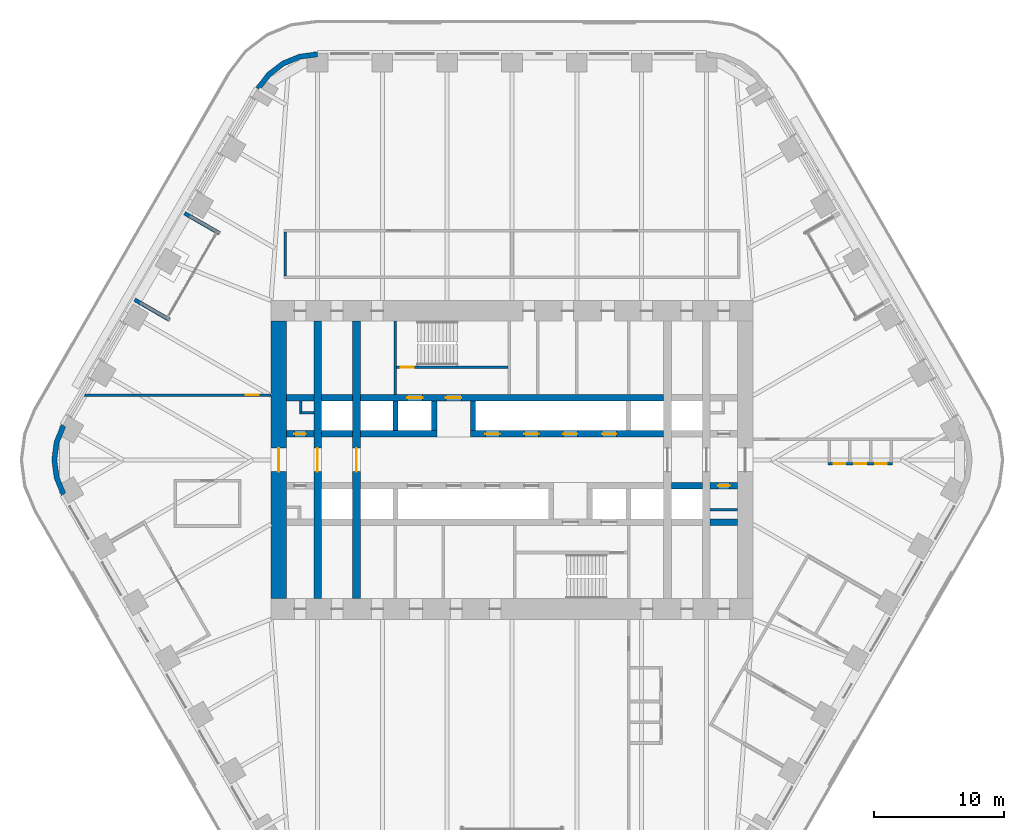
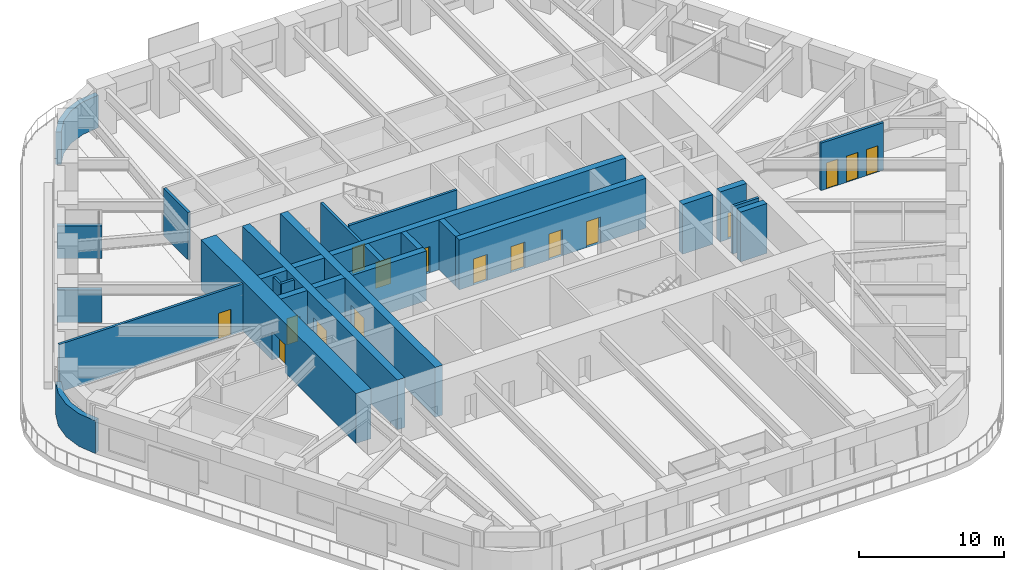
# One storey, part 19 of 24: 28 walls, 16 doors, 16 openings.
"""IFC4 building model written with IfcOpenShell, lengths in metres."""

from ifc_helpers import new_model, si_unit, direction, frame, frame_2d, origin, place, context, subcontext, project, spatial, polyline, rectangle, outline, extrude, material, layer, layer_set, type_object, element, fill, save


model = new_model("IFC4")

# Units and contexts
model_context = context("Model", 3, precision=1e-05, world=origin(), true_north=direction((0.0, 1.0)))
body_context = subcontext(model_context, "Body", "Model", "MODEL_VIEW")
ifc_project = project(units=[si_unit("LENGTHUNIT", "METRE"), si_unit("AREAUNIT", "SQUARE_METRE"), si_unit("VOLUMEUNIT", "CUBIC_METRE"), si_unit("PLANEANGLEUNIT", "RADIAN"), si_unit("MASSUNIT", "GRAM", prefix="KILO")], contexts=[model_context])

# Site, building, storey
site_placement = place(None, origin())
site = spatial("IfcSite", under=ifc_project, at=site_placement, CompositionType="ELEMENT")
building_placement = place(site_placement, origin())
building = spatial("IfcBuilding", under=site, at=building_placement, Name="Tarfa Lantern Tower", CompositionType="ELEMENT")
storey_placement = place(building_placement, frame((0.0, 0.0, 169.89990234375)))
storey = spatial("IfcBuildingStorey", under=building, at=storey_placement, Name="L38", CompositionType="ELEMENT", Elevation=169.89990234375)

# Walls
ifc_material_1 = material(Name="Limestone cladding on blockwork", Category="masonry")
ifc_layer_1 = layer(ifc_material_1, 0.300048828125)
ifc_layer_set_1 = layer_set([ifc_layer_1], Name="EW1 STONE-CLAD WALL 300")
wall_type_1 = type_object("IfcWallType", Name="EW1 STONE-CLAD WALL 300", PredefinedType="SOLIDWALL", material=ifc_layer_set_1)
wall_1_placement = place(storey_placement, frame((-25.266357421875, 19.037353515625, 0.0), z_axis=(0.0, 0.0, 1.0), x_axis=(0.86600983753, -0.500026960575, 0.0)))
element("IfcWall", 1, at=wall_1_placement, inside=storey, type_object=wall_type_1, Name="Loggia return NW 1", PredefinedType="SOLIDWALL", context=body_context, shape_type="SweptSolid", body=[
    extrude(rectangle(XDim=3.099853515625, YDim=0.300048828125, at=frame_2d((1.5498046875, 0.0))), origin(), (0.0, 0.0, 1.0), 2.75),
])
wall_2_placement = place(storey_placement, frame((-29.1201171875, 12.362548828125, 0.0), z_axis=(0.0, 0.0, 1.0), x_axis=(0.86602952684, -0.49999285859, 0.0)))
element("IfcWall", 2, at=wall_2_placement, inside=storey, type_object=wall_type_1, Name="Loggia return NW 2", PredefinedType="SOLIDWALL", context=body_context, shape_type="SweptSolid", body=[
    extrude(rectangle(XDim=3.10009765625, YDim=0.300048828125, at=frame_2d((1.550048828125, 0.0))), origin(), (0.0, 0.0, 1.0), 2.75),
])
ifc_layer_2 = layer(ifc_material_1, 0.39990234375)
ifc_layer_set_2 = layer_set([ifc_layer_2], Name="EW2 CURVED STONE CORNER 400")
wall_type_2 = type_object("IfcWallType", Name="EW2 CURVED STONE CORNER 400", PredefinedType="SOLIDWALL", material=ifc_layer_set_2)
wall_3_placement = place(storey_placement, origin())
element("IfcWall", 3, at=wall_3_placement, inside=storey, type_object=wall_type_2, Name="Stone corner N-NW", PredefinedType="SOLIDWALL", context=body_context, shape_type="SweptSolid", body=[
    extrude(outline(polyline([(-15.010986328125, 31.5), (-16.4345703125, 31.3125), (-17.760986328125, 30.76318359375), (-18.900146484375, 29.88916015625), (-19.774169921875, 28.75), (-19.427734375, 28.550048828125), (-18.617431640625, 29.606201171875), (-17.56103515625, 30.416748046875), (-16.3310546875, 30.92626953125), (-15.010986328125, 31.10009765625), (-15.010986328125, 31.5)])), origin(), (0.0, 0.0, 1.0), 2.75),
])
wall_4_placement = place(storey_placement, origin())
element("IfcWall", 4, at=wall_4_placement, inside=storey, type_object=wall_type_2, Name="Stone corner NW-SW", PredefinedType="SOLIDWALL", context=body_context, shape_type="SweptSolid", body=[
    extrude(outline(polyline([(-34.785400390625, 2.75), (-35.334716796875, 1.423583984375), (-35.522216796875, 0.0), (-35.334716796875, -1.423583984375), (-34.785400390625, -2.75), (-34.43896484375, -2.550048828125), (-34.948486328125, -1.320068359375), (-35.122314453125, 0.0), (-34.948486328125, 1.320068359375), (-34.43896484375, 2.550048828125), (-34.785400390625, 2.75)])), origin(), (0.0, 0.0, 1.0), 2.75),
])
ifc_material_2 = material(Name="Concrete blockwork", Category="masonry")
ifc_layer_3 = layer(ifc_material_2, 0.199951171875)
ifc_layer_set_3 = layer_set([ifc_layer_3], Name="IW1 BLOCKWORK PARTITION 200 EI 120")
wall_type_3 = type_object("IfcWallType", Name="IW1 BLOCKWORK PARTITION 200 EI 120", PredefinedType="PARTITIONING", material=ifc_layer_set_3)
wall_5_placement = place(storey_placement, frame((-9.0, 5.050048828125, 0.0), z_axis=(0.0, 0.0, 1.0), x_axis=(0.0, 1.0, 0.0)))
element("IfcWall", 5, at=wall_5_placement, inside=storey, type_object=wall_type_3, Name="Core partition", PredefinedType="PARTITIONING", context=body_context, shape_type="SweptSolid", body=[
    extrude(rectangle(XDim=5.64990234375, YDim=0.199951171875, at=frame_2d((2.824951171875, 0.0))), origin(), (0.0, 0.0, 1.0), 4.0),
])
for number, where, z_axis, x_axis, name in (
    (6, (-16.300048828125, 3.64990234375, 0.0), (0.0, 0.0, 1.0), (1.0, 0.0, 0.0), "Core partition"),
    (7, (-16.300048828125, 3.550048828125, 0.0), (0.0, 0.0, 1.0), (0.0, 1.0, 0.0), "Core partition"),
):
    element("IfcWall", number, at=place(storey_placement, frame(where, z_axis=z_axis, x_axis=x_axis)), inside=storey, type_object=wall_type_3, Name=name, PredefinedType="PARTITIONING", context=body_context, shape_type="SweptSolid", body=[
        extrude(rectangle(XDim=1.0, YDim=0.199951171875, at=frame_2d((0.5, 0.0))), origin(), (0.0, 0.0, 1.0), 4.0),
    ])
wall_6_placement = place(storey_placement, frame((17.39990234375, -3.85009765625, 0.0), z_axis=(0.0, 0.0, 1.0), x_axis=(-1.0, 0.0, 0.0)))
element("IfcWall", 8, at=wall_6_placement, inside=storey, type_object=wall_type_3, Name="Core partition", PredefinedType="PARTITIONING", context=body_context, shape_type="SweptSolid", body=[
    extrude(rectangle(XDim=2.099853515625, YDim=0.199951171875, at=frame_2d((1.0498046875, 0.0))), origin(), (0.0, 0.0, 1.0), 4.0),
])
ifc_material_3 = material(Name="Gypsum board on steel studs", Category="steel")
ifc_layer_4 = layer(ifc_material_3, 0.2099609375)
ifc_layer_set_4 = layer_set([ifc_layer_4], Name="IW2 ACOUSTIC PARTITION 200")
wall_type_4 = type_object("IfcWallType", Name="IW2 ACOUSTIC PARTITION 200", PredefinedType="PARTITIONING", material=ifc_layer_set_4)
wall_7_placement = place(storey_placement, frame((-17.5, 14.199951171875, 0.0), z_axis=(0.0, 0.0, 1.0), x_axis=(0.0, 1.0, 0.0)))
element("IfcWall", 9, at=wall_7_placement, inside=storey, type_object=wall_type_4, Name="Partition", PredefinedType="PARTITIONING", context=body_context, shape_type="SweptSolid", body=[
    extrude(rectangle(XDim=3.400146484375, YDim=0.199951171875, at=frame_2d((1.7001953125, 0.0))), origin(), (0.0, 0.0, 1.0), 4.0),
])

# Wall, opening, door
wall_8_placement = place(storey_placement, frame((-18.60009765625, 5.0, 0.0), z_axis=(0.0, 0.0, 1.0), x_axis=(-1.0, 0.0, 0.0)))
wall_8 = element("IfcWall", 10, at=wall_8_placement, inside=storey, type_object=wall_type_4, Name="Partition", PredefinedType="PARTITIONING", context=body_context, shape_type="SweptSolid", body=[
    extrude(rectangle(XDim=14.632080078125, YDim=0.199951171875, at=frame_2d((7.31591796875, 0.0))), origin(), (0.0, 0.0, 1.0), 4.0),
])
opening_1_placement = place(wall_8_placement, frame((0.963134765625, 0.0, 0.0)))
opening_1 = element("IfcOpeningElement", 11, at=opening_1_placement, cuts=wall_8, Name="Opening D49", PredefinedType="OPENING", context=body_context, shape_type="SweptSolid", body=[
    extrude(rectangle(XDim=1.0, YDim=2.199951171875, at=frame_2d((0.5, 1.10009765625))), frame((0.0, 0.10986328125, 0.0), z_axis=(0.0, -1.0, 0.0), x_axis=(1.0, 0.0, 0.0)), (0.0, 0.0, 1.0), 0.219970703125),
])
ifc_material_4 = material(Name="Timber door", Category="wood")
door_type_1 = type_object("IfcDoorType", Name="DR1 ROOM DOOR 1000x2200", OperationType="SINGLE_SWING_LEFT", PredefinedType="DOOR", material=ifc_material_4)
door_1_placement = place(opening_1_placement, origin())
door_1 = element("IfcDoor", 12, at=door_1_placement, inside=storey, type_object=door_type_1, Name="Zone door", OperationType="SINGLE_SWING_RIGHT", OverallHeight=2.199951171875, OverallWidth=1.0, PredefinedType="DOOR", context=body_context, shape_type="SweptSolid", body=[
    extrude(rectangle(XDim=1.0, YDim=2.199951171875, at=frame_2d((0.5, 1.10009765625))), frame((0.0, 0.02490234375, 0.0), z_axis=(0.0, -1.0, 0.0), x_axis=(1.0, 0.0, 0.0)), (0.0, 0.0, 1.0), 0.050048828125),
])
fill(opening_1, door_1)

# Wall, openings, doors
wall_9_placement = place(storey_placement, frame((24.3828125, -0.300048828125, 0.0), z_axis=(0.0, 0.0, 1.0), x_axis=(1.0, 0.0, 0.0)))
wall_9 = element("IfcWall", 13, at=wall_9_placement, inside=storey, type_object=wall_type_4, Name="Partition", PredefinedType="PARTITIONING", context=body_context, shape_type="SweptSolid", body=[
    extrude(rectangle(XDim=5.0, YDim=0.199951171875, at=frame_2d((2.5, 0.0))), origin(), (0.0, 0.0, 1.0), 4.0),
])
opening_2_placement = place(wall_9_placement, frame((0.449951171875, 0.0, 0.0)))
opening_2 = element("IfcOpeningElement", 14, at=opening_2_placement, cuts=wall_9, Name="Opening D44", PredefinedType="OPENING", context=body_context, shape_type="SweptSolid", body=[
    extrude(rectangle(XDim=0.89990234375, YDim=2.199951171875, at=frame_2d((0.449951171875, 1.10009765625))), frame((0.0, 0.10986328125, 0.0), z_axis=(0.0, -1.0, 0.0), x_axis=(1.0, 0.0, 0.0)), (0.0, 0.0, 1.0), 0.219970703125),
])
opening_3_placement = place(wall_9_placement, frame((2.050048828125, 0.0, 0.0)))
opening_3 = element("IfcOpeningElement", 15, at=opening_3_placement, cuts=wall_9, Name="Opening D45", PredefinedType="OPENING", context=body_context, shape_type="SweptSolid", body=[
    extrude(rectangle(XDim=0.89990234375, YDim=2.199951171875, at=frame_2d((0.449951171875, 1.10009765625))), frame((0.0, 0.10986328125, 0.0), z_axis=(0.0, -1.0, 0.0), x_axis=(1.0, 0.0, 0.0)), (0.0, 0.0, 1.0), 0.219970703125),
])
opening_4_placement = place(wall_9_placement, frame((3.64990234375, 0.0, 0.0)))
opening_4 = element("IfcOpeningElement", 16, at=opening_4_placement, cuts=wall_9, Name="Opening D46", PredefinedType="OPENING", context=body_context, shape_type="SweptSolid", body=[
    extrude(rectangle(XDim=0.89990234375, YDim=2.199951171875, at=frame_2d((0.449951171875, 1.10009765625))), frame((0.0, 0.10986328125, 0.0), z_axis=(0.0, -1.0, 0.0), x_axis=(1.0, 0.0, 0.0)), (0.0, 0.0, 1.0), 0.219970703125),
])
door_type_2 = type_object("IfcDoorType", Name="DR3 ROOM DOOR 900x2200", OperationType="SINGLE_SWING_LEFT", PredefinedType="DOOR", material=ifc_material_4)
door_2_placement = place(opening_2_placement, origin())
door_2 = element("IfcDoor", 17, at=door_2_placement, inside=storey, type_object=door_type_2, Name="Phone booth door", OperationType="SINGLE_SWING_RIGHT", OverallHeight=2.199951171875, OverallWidth=0.89990234375, PredefinedType="DOOR", context=body_context, shape_type="SweptSolid", body=[
    extrude(rectangle(XDim=0.89990234375, YDim=2.199951171875, at=frame_2d((0.449951171875, 1.10009765625))), frame((0.0, 0.02490234375, 0.0), z_axis=(0.0, -1.0, 0.0), x_axis=(1.0, 0.0, 0.0)), (0.0, 0.0, 1.0), 0.050048828125),
])
fill(opening_2, door_2)
door_3_placement = place(opening_3_placement, origin())
door_3 = element("IfcDoor", 18, at=door_3_placement, inside=storey, type_object=door_type_2, Name="Phone booth door", OperationType="SINGLE_SWING_RIGHT", OverallHeight=2.199951171875, OverallWidth=0.89990234375, PredefinedType="DOOR", context=body_context, shape_type="SweptSolid", body=[
    extrude(rectangle(XDim=0.89990234375, YDim=2.199951171875, at=frame_2d((0.449951171875, 1.10009765625))), frame((0.0, 0.02490234375, 0.0), z_axis=(0.0, -1.0, 0.0), x_axis=(1.0, 0.0, 0.0)), (0.0, 0.0, 1.0), 0.050048828125),
])
fill(opening_3, door_3)
door_4_placement = place(opening_4_placement, origin())
door_4 = element("IfcDoor", 19, at=door_4_placement, inside=storey, type_object=door_type_2, Name="Phone booth door", OperationType="SINGLE_SWING_LEFT", OverallHeight=2.199951171875, OverallWidth=0.89990234375, PredefinedType="DOOR", context=body_context, shape_type="SweptSolid", body=[
    extrude(rectangle(XDim=0.89990234375, YDim=2.199951171875, at=frame_2d((0.449951171875, 1.10009765625))), frame((0.0, 0.02490234375, 0.0), z_axis=(0.0, -1.0, 0.0), x_axis=(1.0, 0.0, 0.0)), (0.0, 0.0, 1.0), 0.050048828125),
])
fill(opening_4, door_4)

# Wall, opening, door
ifc_material_5 = material(Name="Concrete C80/95", Category="concrete")
ifc_layer_5 = layer(ifc_material_5, 1.199951171875)
ifc_layer_set_5 = layer_set([ifc_layer_5], Name="SW1 CORE WALL 1200")
wall_type_5 = type_object("IfcWallType", Name="SW1 CORE WALL 1200", PredefinedType="SHEAR", material=ifc_layer_set_5)
wall_10_placement = place(storey_placement, frame((-18.0, 10.699951171875, 0.0), z_axis=(0.0, 0.0, 1.0), x_axis=(0.0, -1.0, 0.0)))
wall_10 = element("IfcWall", 20, at=wall_10_placement, inside=storey, type_object=wall_type_5, Name="Core wall W", PredefinedType="SHEAR", context=body_context, shape_type="SweptSolid", body=[
    extrude(rectangle(XDim=21.39990234375, YDim=1.199951171875, at=frame_2d((10.699951171875, 0.0))), origin(), (0.0, 0.0, 1.0), 4.2001953125),
])
opening_5_placement = place(wall_10_placement, frame((9.800048828125, 0.0, 0.0)))
opening_5 = element("IfcOpeningElement", 21, at=opening_5_placement, cuts=wall_10, Name="Opening D16", PredefinedType="OPENING", context=body_context, shape_type="SweptSolid", body=[
    extrude(rectangle(XDim=1.800048828125, YDim=2.39990234375, at=frame_2d((0.89990234375, 1.199951171875))), frame((0.0, 0.60986328125, 0.0), z_axis=(0.0, -1.0, 0.0), x_axis=(1.0, 0.0, 0.0)), (0.0, 0.0, 1.0), 1.219970703125),
])
ifc_material_6 = material(Name="Steel fire door", Category="steel")
door_type_3 = type_object("IfcDoorType", Name="DL1 LOBBY DOOR 1800x2400", OperationType="DOUBLE_DOOR_SINGLE_SWING", PredefinedType="DOOR", material=ifc_material_6)
door_5_placement = place(opening_5_placement, frame((1.800048828125, 0.0, 0.0), z_axis=(0.0, 0.0, 1.0), x_axis=(-1.0, 0.0, 0.0)))
door_5 = element("IfcDoor", 22, at=door_5_placement, inside=storey, type_object=door_type_3, Name="Lift lobby door", OperationType="DOUBLE_DOOR_SINGLE_SWING", OverallHeight=2.39990234375, OverallWidth=1.800048828125, PredefinedType="DOOR", context=body_context, shape_type="SweptSolid", body=[
    extrude(rectangle(XDim=1.800048828125, YDim=2.39990234375, at=frame_2d((0.89990234375, 1.199951171875))), frame((0.0, 0.02490234375, 0.0), z_axis=(0.0, -1.0, 0.0), x_axis=(1.0, 0.0, 0.0)), (0.0, 0.0, 1.0), 0.050048828125),
])
fill(opening_5, door_5)

ifc_layer_6 = layer(ifc_material_5, 0.199951171875)
ifc_layer_set_6 = layer_set([ifc_layer_6], Name="SW12 CORE WALL 200")
wall_type_6 = type_object("IfcWallType", Name="SW12 CORE WALL 200", PredefinedType="SHEAR", material=ifc_layer_set_6)
wall_11_placement = place(storey_placement, frame((-8.89990234375, 7.14990234375, 0.0), z_axis=(0.0, 0.0, 1.0), x_axis=(1.0, 0.0, 0.0)))
wall_11 = element("IfcWall", 23, at=wall_11_placement, inside=storey, type_object=wall_type_6, Name="Core wall stair partition N", PredefinedType="SHEAR", context=body_context, shape_type="SweptSolid", body=[
    extrude(rectangle(XDim=8.599853515625, YDim=0.199951171875, at=frame_2d((4.2998046875, 0.0))), origin(), (0.0, 0.0, 1.0), 4.2001953125),
])
opening_6_placement = place(wall_11_placement, frame((0.300048828125, 0.0, 0.0)))
opening_6 = element("IfcOpeningElement", 24, at=opening_6_placement, cuts=wall_11, Name="Opening D27", PredefinedType="OPENING", context=body_context, shape_type="SweptSolid", body=[
    extrude(rectangle(XDim=1.0, YDim=2.199951171875, at=frame_2d((0.5, 1.10009765625))), frame((0.0, 0.10986328125, 0.0), z_axis=(0.0, -1.0, 0.0), x_axis=(1.0, 0.0, 0.0)), (0.0, 0.0, 1.0), 0.219970703125),
])
door_type_4 = type_object("IfcDoorType", Name="DF2 STAIR DOOR 1000x2200", OperationType="SINGLE_SWING_LEFT", PredefinedType="DOOR", material=ifc_material_6)
door_6_placement = place(opening_6_placement, origin())
door_6 = element("IfcDoor", 25, at=door_6_placement, inside=storey, type_object=door_type_4, Name="Stair door", OperationType="SINGLE_SWING_RIGHT", OverallHeight=2.199951171875, OverallWidth=1.0, PredefinedType="DOOR", context=body_context, shape_type="SweptSolid", body=[
    extrude(rectangle(XDim=1.0, YDim=2.199951171875, at=frame_2d((0.5, 1.10009765625))), frame((0.0, 0.02490234375, 0.0), z_axis=(0.0, -1.0, 0.0), x_axis=(1.0, 0.0, 0.0)), (0.0, 0.0, 1.0), 0.050048828125),
])
fill(opening_6, door_6)

ifc_layer_7 = layer(ifc_material_5, 0.5)
ifc_layer_set_7 = layer_set([ifc_layer_7], Name="SW5 CORE WALL 500")
wall_type_7 = type_object("IfcWallType", Name="SW5 CORE WALL 500", PredefinedType="SHEAR", material=ifc_layer_set_7)
wall_12_placement = place(storey_placement, frame((-17.39990234375, 2.0, 0.0), z_axis=(0.0, 0.0, 1.0), x_axis=(1.0, 0.0, 0.0)))
wall_12 = element("IfcWall", 26, at=wall_12_placement, inside=storey, type_object=wall_type_7, Name="Core wall lobby west N", PredefinedType="SHEAR", context=body_context, shape_type="SweptSolid", body=[
    extrude(rectangle(XDim=2.099853515625, YDim=0.5, at=frame_2d((1.0498046875, 0.0))), origin(), (0.0, 0.0, 1.0), 4.2001953125),
])
opening_7_placement = place(wall_12_placement, frame((0.60009765625, 0.0, 0.0)))
opening_7 = element("IfcOpeningElement", 27, at=opening_7_placement, cuts=wall_12, Name="Opening D19", PredefinedType="OPENING", context=body_context, shape_type="SweptSolid", body=[
    extrude(rectangle(XDim=0.89990234375, YDim=2.199951171875, at=frame_2d((0.449951171875, 1.10009765625))), frame((0.0, 0.260009765625, 0.0), z_axis=(0.0, -1.0, 0.0), x_axis=(1.0, 0.0, 0.0)), (0.0, 0.0, 1.0), 0.52001953125),
])
door_type_5 = type_object("IfcDoorType", Name="DF6 SERVICE ROOM DOOR 900x2200", OperationType="SINGLE_SWING_LEFT", PredefinedType="DOOR", material=ifc_material_6)
door_7_placement = place(opening_7_placement, origin())
door_7 = element("IfcDoor", 28, at=door_7_placement, inside=storey, type_object=door_type_5, Name="Service room door", OperationType="SINGLE_SWING_LEFT", OverallHeight=2.199951171875, OverallWidth=0.89990234375, PredefinedType="DOOR", context=body_context, shape_type="SweptSolid", body=[
    extrude(rectangle(XDim=0.89990234375, YDim=2.199951171875, at=frame_2d((0.449951171875, 1.10009765625))), frame((0.0, 0.02490234375, 0.0), z_axis=(0.0, -1.0, 0.0), x_axis=(1.0, 0.0, 0.0)), (0.0, 0.0, 1.0), 0.050048828125),
])
fill(opening_7, door_7)

# Walls
wall_13_placement = place(storey_placement, frame((-14.699951171875, 2.0, 0.0), z_axis=(0.0, 0.0, 1.0), x_axis=(1.0, 0.0, 0.0)))
element("IfcWall", 29, at=wall_13_placement, inside=storey, type_object=wall_type_7, Name="Core wall lobby west N", PredefinedType="SHEAR", context=body_context, shape_type="SweptSolid", body=[
    extrude(rectangle(XDim=2.39990234375, YDim=0.5, at=frame_2d((1.199951171875, 0.0))), origin(), (0.0, 0.0, 1.0), 4.2001953125),
])
wall_14_placement = place(storey_placement, frame((-11.699951171875, 2.0, 0.0), z_axis=(0.0, 0.0, 1.0), x_axis=(1.0, 0.0, 0.0)))
element("IfcWall", 30, at=wall_14_placement, inside=storey, type_object=wall_type_7, Name="Core wall lobby west N", PredefinedType="SHEAR", context=body_context, shape_type="SweptSolid", body=[
    extrude(rectangle(XDim=5.89990234375, YDim=0.5, at=frame_2d((2.949951171875, 0.0))), origin(), (0.0, 0.0, 1.0), 4.2001953125),
])

# Wall, openings, doors
wall_15_placement = place(storey_placement, frame((-3.199951171875, 2.0, 0.0), z_axis=(0.0, 0.0, 1.0), x_axis=(1.0, 0.0, 0.0)))
wall_15 = element("IfcWall", 31, at=wall_15_placement, inside=storey, type_object=wall_type_7, Name="Core wall lobby east N", PredefinedType="SHEAR", context=body_context, shape_type="SweptSolid", body=[
    extrude(rectangle(XDim=14.89990234375, YDim=0.5, at=frame_2d((7.449951171875, 0.0))), origin(), (0.0, 0.0, 1.0), 4.2001953125),
])
opening_8_placement = place(wall_15_placement, frame((1.14990234375, 0.0, 0.0)))
opening_8 = element("IfcOpeningElement", 32, at=opening_8_placement, cuts=wall_15, Name="Opening LD03", PredefinedType="OPENING", context=body_context, shape_type="SweptSolid", body=[
    extrude(rectangle(XDim=1.10009765625, YDim=2.199951171875, at=frame_2d((0.550048828125, 1.10009765625))), frame((0.0, 0.260009765625, 0.0), z_axis=(0.0, -1.0, 0.0), x_axis=(1.0, 0.0, 0.0)), (0.0, 0.0, 1.0), 0.52001953125),
])
opening_9_placement = place(wall_15_placement, frame((4.14990234375, 0.0, 0.0)))
opening_9 = element("IfcOpeningElement", 33, at=opening_9_placement, cuts=wall_15, Name="Opening LD04", PredefinedType="OPENING", context=body_context, shape_type="SweptSolid", body=[
    extrude(rectangle(XDim=1.10009765625, YDim=2.199951171875, at=frame_2d((0.550048828125, 1.10009765625))), frame((0.0, 0.260009765625, 0.0), z_axis=(0.0, -1.0, 0.0), x_axis=(1.0, 0.0, 0.0)), (0.0, 0.0, 1.0), 0.52001953125),
])
opening_10_placement = place(wall_15_placement, frame((7.14990234375, 0.0, 0.0)))
opening_10 = element("IfcOpeningElement", 34, at=opening_10_placement, cuts=wall_15, Name="Opening LD05", PredefinedType="OPENING", context=body_context, shape_type="SweptSolid", body=[
    extrude(rectangle(XDim=1.10009765625, YDim=2.199951171875, at=frame_2d((0.550048828125, 1.10009765625))), frame((0.0, 0.260009765625, 0.0), z_axis=(0.0, -1.0, 0.0), x_axis=(1.0, 0.0, 0.0)), (0.0, 0.0, 1.0), 0.52001953125),
])
opening_11_placement = place(wall_15_placement, frame((10.14990234375, 0.0, 0.0)))
opening_11 = element("IfcOpeningElement", 35, at=opening_11_placement, cuts=wall_15, Name="Opening LD06", PredefinedType="OPENING", context=body_context, shape_type="SweptSolid", body=[
    extrude(rectangle(XDim=1.10009765625, YDim=2.199951171875, at=frame_2d((0.550048828125, 1.10009765625))), frame((0.0, 0.260009765625, 0.0), z_axis=(0.0, -1.0, 0.0), x_axis=(1.0, 0.0, 0.0)), (0.0, 0.0, 1.0), 0.52001953125),
])
ifc_material_7 = material(Name="Stainless steel lift door", Category="steel")
door_type_6 = type_object("IfcDoorType", Name="LD2 LIFT LANDING DOOR 1100x2200", OperationType="SLIDING_TO_LEFT", PredefinedType="DOOR", material=ifc_material_7)
door_8_placement = place(opening_8_placement, frame((1.10009765625, 0.0, 0.0), z_axis=(0.0, 0.0, 1.0), x_axis=(-1.0, 0.0, 0.0)))
door_8 = element("IfcDoor", 36, at=door_8_placement, inside=storey, type_object=door_type_6, Name="Landing door PB1", OperationType="SLIDING_TO_LEFT", OverallHeight=2.199951171875, OverallWidth=1.10009765625, PredefinedType="DOOR", context=body_context, shape_type="SweptSolid", body=[
    extrude(rectangle(XDim=1.10009765625, YDim=2.199951171875, at=frame_2d((0.550048828125, 1.10009765625))), frame((0.0, 0.02490234375, 0.0), z_axis=(0.0, -1.0, 0.0), x_axis=(1.0, 0.0, 0.0)), (0.0, 0.0, 1.0), 0.050048828125),
])
fill(opening_8, door_8)
door_9_placement = place(opening_9_placement, frame((1.10009765625, 0.0, 0.0), z_axis=(0.0, 0.0, 1.0), x_axis=(-1.0, 0.0, 0.0)))
door_9 = element("IfcDoor", 37, at=door_9_placement, inside=storey, type_object=door_type_6, Name="Landing door PB2", OperationType="SLIDING_TO_LEFT", OverallHeight=2.199951171875, OverallWidth=1.10009765625, PredefinedType="DOOR", context=body_context, shape_type="SweptSolid", body=[
    extrude(rectangle(XDim=1.10009765625, YDim=2.199951171875, at=frame_2d((0.550048828125, 1.10009765625))), frame((0.0, 0.02490234375, 0.0), z_axis=(0.0, -1.0, 0.0), x_axis=(1.0, 0.0, 0.0)), (0.0, 0.0, 1.0), 0.050048828125),
])
fill(opening_9, door_9)
door_10_placement = place(opening_10_placement, frame((1.10009765625, 0.0, 0.0), z_axis=(0.0, 0.0, 1.0), x_axis=(-1.0, 0.0, 0.0)))
door_10 = element("IfcDoor", 38, at=door_10_placement, inside=storey, type_object=door_type_6, Name="Landing door PB3", OperationType="SLIDING_TO_LEFT", OverallHeight=2.199951171875, OverallWidth=1.10009765625, PredefinedType="DOOR", context=body_context, shape_type="SweptSolid", body=[
    extrude(rectangle(XDim=1.10009765625, YDim=2.199951171875, at=frame_2d((0.550048828125, 1.10009765625))), frame((0.0, 0.02490234375, 0.0), z_axis=(0.0, -1.0, 0.0), x_axis=(1.0, 0.0, 0.0)), (0.0, 0.0, 1.0), 0.050048828125),
])
fill(opening_10, door_10)
door_11_placement = place(opening_11_placement, frame((1.10009765625, 0.0, 0.0), z_axis=(0.0, 0.0, 1.0), x_axis=(-1.0, 0.0, 0.0)))
door_11 = element("IfcDoor", 39, at=door_11_placement, inside=storey, type_object=door_type_6, Name="Landing door PB4", OperationType="SLIDING_TO_LEFT", OverallHeight=2.199951171875, OverallWidth=1.10009765625, PredefinedType="DOOR", context=body_context, shape_type="SweptSolid", body=[
    extrude(rectangle(XDim=1.10009765625, YDim=2.199951171875, at=frame_2d((0.550048828125, 1.10009765625))), frame((0.0, 0.02490234375, 0.0), z_axis=(0.0, -1.0, 0.0), x_axis=(1.0, 0.0, 0.0)), (0.0, 0.0, 1.0), 0.050048828125),
])
fill(opening_11, door_11)

# Walls
wall_16_placement = place(storey_placement, frame((-17.39990234375, 4.800048828125, 0.0), z_axis=(0.0, 0.0, 1.0), x_axis=(1.0, 0.0, 0.0)))
element("IfcWall", 40, at=wall_16_placement, inside=storey, type_object=wall_type_7, Name="Core wall rear N", PredefinedType="SHEAR", context=body_context, shape_type="SweptSolid", body=[
    extrude(rectangle(XDim=2.099853515625, YDim=0.5, at=frame_2d((1.0498046875, 0.0))), origin(), (0.0, 0.0, 1.0), 4.2001953125),
])
wall_17_placement = place(storey_placement, frame((-14.699951171875, 4.800048828125, 0.0), z_axis=(0.0, 0.0, 1.0), x_axis=(1.0, 0.0, 0.0)))
element("IfcWall", 41, at=wall_17_placement, inside=storey, type_object=wall_type_7, Name="Core wall rear N", PredefinedType="SHEAR", context=body_context, shape_type="SweptSolid", body=[
    extrude(rectangle(XDim=2.39990234375, YDim=0.5, at=frame_2d((1.199951171875, 0.0))), origin(), (0.0, 0.0, 1.0), 4.2001953125),
])

# Wall, openings, doors
wall_18_placement = place(storey_placement, frame((-11.699951171875, 4.800048828125, 0.0), z_axis=(0.0, 0.0, 1.0), x_axis=(1.0, 0.0, 0.0)))
wall_18 = element("IfcWall", 42, at=wall_18_placement, inside=storey, type_object=wall_type_7, Name="Core wall rear N", PredefinedType="SHEAR", context=body_context, shape_type="SweptSolid", body=[
    extrude(rectangle(XDim=23.39990234375, YDim=0.5, at=frame_2d((11.699951171875, 0.0))), origin(), (0.0, 0.0, 1.0), 4.2001953125),
])
opening_12_placement = place(wall_18_placement, frame((6.60009765625, 0.0, 0.0)))
opening_12 = element("IfcOpeningElement", 43, at=opening_12_placement, cuts=wall_18, Name="Opening D13", PredefinedType="OPENING", context=body_context, shape_type="SweptSolid", body=[
    extrude(rectangle(XDim=1.199951171875, YDim=2.199951171875, at=frame_2d((0.60009765625, 1.10009765625))), frame((0.0, 0.260009765625, 0.0), z_axis=(0.0, -1.0, 0.0), x_axis=(1.0, 0.0, 0.0)), (0.0, 0.0, 1.0), 0.52001953125),
])
opening_13_placement = place(wall_18_placement, frame((3.60009765625, 0.0, 0.0)))
opening_13 = element("IfcOpeningElement", 44, at=opening_13_placement, cuts=wall_18, Name="Opening LD01", PredefinedType="OPENING", context=body_context, shape_type="SweptSolid", body=[
    extrude(rectangle(XDim=1.199951171875, YDim=2.199951171875, at=frame_2d((0.60009765625, 1.10009765625))), frame((0.0, 0.260009765625, 0.0), z_axis=(0.0, -1.0, 0.0), x_axis=(1.0, 0.0, 0.0)), (0.0, 0.0, 1.0), 0.52001953125),
])
door_type_7 = type_object("IfcDoorType", Name="DF1 FIREFIGHTING LOBBY DOOR 1200x2200", OperationType="SINGLE_SWING_LEFT", PredefinedType="DOOR", material=ifc_material_6)
door_12_placement = place(opening_12_placement, origin())
door_12 = element("IfcDoor", 45, at=door_12_placement, inside=storey, type_object=door_type_7, Name="Firefighting lobby door", OperationType="SINGLE_SWING_LEFT", OverallHeight=2.199951171875, OverallWidth=1.199951171875, PredefinedType="DOOR", context=body_context, shape_type="SweptSolid", body=[
    extrude(rectangle(XDim=1.199951171875, YDim=2.199951171875, at=frame_2d((0.60009765625, 1.10009765625))), frame((0.0, 0.02490234375, 0.0), z_axis=(0.0, -1.0, 0.0), x_axis=(1.0, 0.0, 0.0)), (0.0, 0.0, 1.0), 0.050048828125),
])
fill(opening_12, door_12)
door_type_8 = type_object("IfcDoorType", Name="LD1 LIFT LANDING DOOR 1200x2200", OperationType="SLIDING_TO_LEFT", PredefinedType="DOOR", material=ifc_material_7)
door_13_placement = place(opening_13_placement, origin())
door_13 = element("IfcDoor", 46, at=door_13_placement, inside=storey, type_object=door_type_8, Name="Landing door FL1", OperationType="SLIDING_TO_LEFT", OverallHeight=2.199951171875, OverallWidth=1.199951171875, PredefinedType="DOOR", context=body_context, shape_type="SweptSolid", body=[
    extrude(rectangle(XDim=1.199951171875, YDim=2.199951171875, at=frame_2d((0.60009765625, 1.10009765625))), frame((0.0, 0.02490234375, 0.0), z_axis=(0.0, -1.0, 0.0), x_axis=(1.0, 0.0, 0.0)), (0.0, 0.0, 1.0), 0.050048828125),
])
fill(opening_13, door_13)

# Wall, opening, door
wall_19_placement = place(storey_placement, frame((17.39990234375, -2.0, 0.0), z_axis=(0.0, 0.0, 1.0), x_axis=(-1.0, 0.0, 0.0)))
wall_19 = element("IfcWall", 47, at=wall_19_placement, inside=storey, type_object=wall_type_7, Name="Core wall lobby west S", PredefinedType="SHEAR", context=body_context, shape_type="SweptSolid", body=[
    extrude(rectangle(XDim=2.099853515625, YDim=0.5, at=frame_2d((1.0498046875, 0.0))), origin(), (0.0, 0.0, 1.0), 4.2001953125),
])
opening_14_placement = place(wall_19_placement, frame((0.60009765625, 0.0, 0.0)))
opening_14 = element("IfcOpeningElement", 48, at=opening_14_placement, cuts=wall_19, Name="Opening D20", PredefinedType="OPENING", context=body_context, shape_type="SweptSolid", body=[
    extrude(rectangle(XDim=0.89990234375, YDim=2.199951171875, at=frame_2d((0.449951171875, 1.10009765625))), frame((0.0, 0.260009765625, 0.0), z_axis=(0.0, -1.0, 0.0), x_axis=(1.0, 0.0, 0.0)), (0.0, 0.0, 1.0), 0.52001953125),
])
door_14_placement = place(opening_14_placement, origin())
door_14 = element("IfcDoor", 49, at=door_14_placement, inside=storey, type_object=door_type_5, Name="Service room door", OperationType="SINGLE_SWING_LEFT", OverallHeight=2.199951171875, OverallWidth=0.89990234375, PredefinedType="DOOR", context=body_context, shape_type="SweptSolid", body=[
    extrude(rectangle(XDim=0.89990234375, YDim=2.199951171875, at=frame_2d((0.449951171875, 1.10009765625))), frame((0.0, 0.02490234375, 0.0), z_axis=(0.0, -1.0, 0.0), x_axis=(1.0, 0.0, 0.0)), (0.0, 0.0, 1.0), 0.050048828125),
])
fill(opening_14, door_14)

# Walls
wall_20_placement = place(storey_placement, frame((14.699951171875, -2.0, 0.0), z_axis=(0.0, 0.0, 1.0), x_axis=(-1.0, 0.0, 0.0)))
element("IfcWall", 50, at=wall_20_placement, inside=storey, type_object=wall_type_7, Name="Core wall lobby west S", PredefinedType="SHEAR", context=body_context, shape_type="SweptSolid", body=[
    extrude(rectangle(XDim=2.39990234375, YDim=0.5, at=frame_2d((1.199951171875, 0.0))), origin(), (0.0, 0.0, 1.0), 4.2001953125),
])
wall_21_placement = place(storey_placement, frame((17.39990234375, -4.800048828125, 0.0), z_axis=(0.0, 0.0, 1.0), x_axis=(-1.0, 0.0, 0.0)))
element("IfcWall", 51, at=wall_21_placement, inside=storey, type_object=wall_type_7, Name="Core wall rear S", PredefinedType="SHEAR", context=body_context, shape_type="SweptSolid", body=[
    extrude(rectangle(XDim=2.099853515625, YDim=0.5, at=frame_2d((1.0498046875, 0.0))), origin(), (0.0, 0.0, 1.0), 4.2001953125),
])
ifc_layer_8 = layer(ifc_material_5, 0.39990234375)
ifc_layer_set_8 = layer_set([ifc_layer_8], Name="SW6 CORE WALL 400")
wall_type_8 = type_object("IfcWallType", Name="SW6 CORE WALL 400", PredefinedType="SHEAR", material=ifc_layer_set_8)
for number, where, z_axis, x_axis, name in (
    (52, (-9.0, 2.25, 0.0), (0.0, 0.0, 1.0), (0.0, 1.0, 0.0), "Core wall divider N"),
    (53, (-6.0, 2.25, 0.0), (0.0, 0.0, 1.0), (0.0, 1.0, 0.0), "Core wall divider N"),
    (54, (-3.0, 2.25, 0.0), (0.0, 0.0, 1.0), (0.0, 1.0, 0.0), "Core wall divider N"),
):
    element("IfcWall", number, at=place(storey_placement, frame(where, z_axis=z_axis, x_axis=x_axis)), inside=storey, type_object=wall_type_8, Name=name, PredefinedType="SHEAR", context=body_context, shape_type="SweptSolid", body=[
        extrude(rectangle(XDim=2.300048828125, YDim=0.39990234375, at=frame_2d((1.14990234375, 0.0))), origin(), (0.0, 0.0, 1.0), 4.2001953125),
    ])

# Wall, opening, door
ifc_layer_9 = layer(ifc_material_5, 0.60009765625)
ifc_layer_set_9 = layer_set([ifc_layer_9], Name="SW9 CORE WALL 600")
wall_type_9 = type_object("IfcWallType", Name="SW9 CORE WALL 600", PredefinedType="SHEAR", material=ifc_layer_set_9)
wall_22_placement = place(storey_placement, frame((-12.0, -10.699951171875, 0.0), z_axis=(0.0, 0.0, 1.0), x_axis=(0.0, 1.0, 0.0)))
wall_22 = element("IfcWall", 55, at=wall_22_placement, inside=storey, type_object=wall_type_9, Name="Core wall cross 12 m west", PredefinedType="SHEAR", context=body_context, shape_type="SweptSolid", body=[
    extrude(rectangle(XDim=21.39990234375, YDim=0.60009765625, at=frame_2d((10.699951171875, 0.0))), origin(), (0.0, 0.0, 1.0), 4.2001953125),
])
opening_15_placement = place(wall_22_placement, frame((9.800048828125, 0.0, 0.0)))
opening_15 = element("IfcOpeningElement", 56, at=opening_15_placement, cuts=wall_22, Name="Opening D31", PredefinedType="OPENING", context=body_context, shape_type="SweptSolid", body=[
    extrude(rectangle(XDim=1.800048828125, YDim=2.39990234375, at=frame_2d((0.89990234375, 1.199951171875))), frame((0.0, 0.31005859375, 0.0), z_axis=(0.0, -1.0, 0.0), x_axis=(1.0, 0.0, 0.0)), (0.0, 0.0, 1.0), 0.6201171875),
])
door_15_placement = place(opening_15_placement, origin())
door_15 = element("IfcDoor", 57, at=door_15_placement, inside=storey, type_object=door_type_3, Name="Lift lobby door", OperationType="DOUBLE_DOOR_SINGLE_SWING", OverallHeight=2.39990234375, OverallWidth=1.800048828125, PredefinedType="DOOR", context=body_context, shape_type="SweptSolid", body=[
    extrude(rectangle(XDim=1.800048828125, YDim=2.39990234375, at=frame_2d((0.89990234375, 1.199951171875))), frame((0.0, 0.02490234375, 0.0), z_axis=(0.0, -1.0, 0.0), x_axis=(1.0, 0.0, 0.0)), (0.0, 0.0, 1.0), 0.050048828125),
])
fill(opening_15, door_15)

wall_23_placement = place(storey_placement, frame((-15.0, -10.699951171875, 0.0), z_axis=(0.0, 0.0, 1.0), x_axis=(0.0, 1.0, 0.0)))
wall_23 = element("IfcWall", 58, at=wall_23_placement, inside=storey, type_object=wall_type_9, Name="Core wall cross 15 m west", PredefinedType="SHEAR", context=body_context, shape_type="SweptSolid", body=[
    extrude(rectangle(XDim=21.39990234375, YDim=0.60009765625, at=frame_2d((10.699951171875, 0.0))), origin(), (0.0, 0.0, 1.0), 4.2001953125),
])
opening_16_placement = place(wall_23_placement, frame((9.800048828125, 0.0, 0.0)))
opening_16 = element("IfcOpeningElement", 59, at=opening_16_placement, cuts=wall_23, Name="Opening D32", PredefinedType="OPENING", context=body_context, shape_type="SweptSolid", body=[
    extrude(rectangle(XDim=1.800048828125, YDim=2.39990234375, at=frame_2d((0.89990234375, 1.199951171875))), frame((0.0, 0.31005859375, 0.0), z_axis=(0.0, -1.0, 0.0), x_axis=(1.0, 0.0, 0.0)), (0.0, 0.0, 1.0), 0.6201171875),
])
door_16_placement = place(opening_16_placement, origin())
door_16 = element("IfcDoor", 60, at=door_16_placement, inside=storey, type_object=door_type_3, Name="Lift lobby door", OperationType="DOUBLE_DOOR_SINGLE_SWING", OverallHeight=2.39990234375, OverallWidth=1.800048828125, PredefinedType="DOOR", context=body_context, shape_type="SweptSolid", body=[
    extrude(rectangle(XDim=1.800048828125, YDim=2.39990234375, at=frame_2d((0.89990234375, 1.199951171875))), frame((0.0, 0.02490234375, 0.0), z_axis=(0.0, -1.0, 0.0), x_axis=(1.0, 0.0, 0.0)), (0.0, 0.0, 1.0), 0.050048828125),
])
fill(opening_16, door_16)

save(model, "model.ifc")
